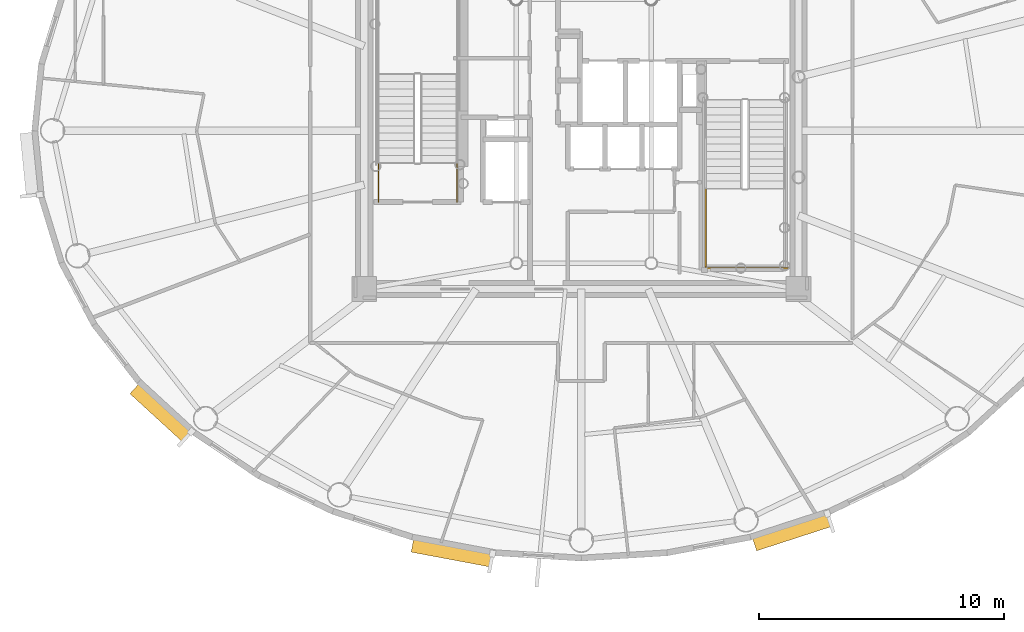
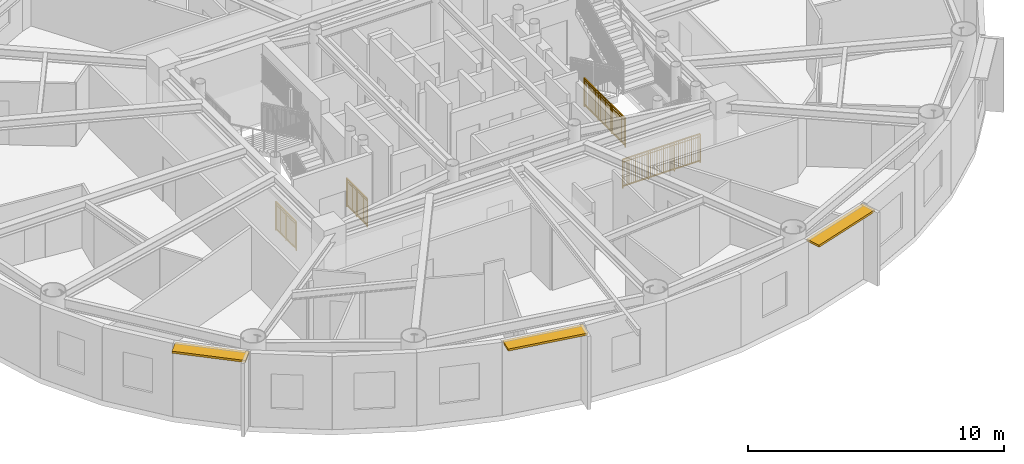
# One storey, part 11 of 17: 4 railings, 3 shading devices.
"""IFC4 building model written with IfcOpenShell, lengths in metres."""

from ifc_helpers import new_model, si_unit, direction, frame, origin, origin_2d, place, context, subcontext, project, spatial, rectangle, extrude, source, transform, mapped, material, layer, layer_set, type_object, element, save


model = new_model("IFC4")

# Units and contexts
model_context = context("Model", 3, precision=1e-05, world=origin(), true_north=direction((0.0, 1.0)))
body_context = subcontext(model_context, "Body", "Model", "MODEL_VIEW")
ifc_project = project(units=[si_unit("LENGTHUNIT", "METRE"), si_unit("AREAUNIT", "SQUARE_METRE"), si_unit("VOLUMEUNIT", "CUBIC_METRE"), si_unit("PLANEANGLEUNIT", "RADIAN"), si_unit("MASSUNIT", "GRAM", prefix="KILO")], contexts=[model_context])

# Site, building, storey
site_placement = place(None, origin())
site = spatial("IfcSite", under=ifc_project, at=site_placement, CompositionType="ELEMENT")
building_placement = place(site_placement, origin())
building = spatial("IfcBuilding", under=site, at=building_placement, Name="Linh Dai School and Residence Tower", CompositionType="ELEMENT")
storey_placement = place(building_placement, frame((0.0, 0.0, 284.25)))
storey = spatial("IfcBuildingStorey", under=building, at=storey_placement, Name="L70", CompositionType="ELEMENT", Elevation=284.25)

# Shading devices
ifc_material_1 = material(Name="Terracotta Ceramic Sunshade", Category="masonry")
ifc_layer = layer(ifc_material_1, 0.10009765625)
ifc_layer_set = layer_set([ifc_layer], Name="Terracotta Ceramic Sunshade")
shading_device_type = type_object("IfcShadingDeviceType", Name="SHD-TC-650", PredefinedType="USERDEFINED", material=ifc_layer_set)
shared_shape_1 = source(origin(), body_context, "Body", "SweptSolid", [
    extrude(rectangle(XDim=2.9541015625, YDim=0.64990234375, at=origin_2d()), origin(), (0.0, 0.0, 1.0), 0.10009765625),
])
shading_device_1_placement = place(storey_placement, frame((18.9111328125, 15.525390625, 3.3798828125), z_axis=(0.0, 0.0, 1.0), x_axis=(-0.737104227651, 0.675779074535, 0.0)))
element("IfcShadingDevice", 1, at=shading_device_1_placement, inside=storey, type_object=shading_device_type, Name="L70 Terracotta Horizontal Sunshade Band 25", ObjectType="SUNSHADE", PredefinedType="USERDEFINED", context=body_context, shape_type="MappedRepresentation", body=[
    mapped(shared_shape_1, transform((0.0, 0.0, 0.0), x_axis=(1.0, 0.0, 0.0), y_axis=(0.0, 1.0, 0.0), z_axis=(0.0, 0.0, 1.0), scale=1.0)),
])
shared_shape_2 = source(origin(), body_context, "Body", "SweptSolid", [
    extrude(rectangle(XDim=3.323486328125, YDim=0.64990234375, at=origin_2d()), origin(), (0.0, 0.0, 1.0), 0.10009765625),
])
shading_device_2_placement = place(storey_placement, frame((30.75732421875, 9.839599609375, 3.3798828125), z_axis=(0.0, 0.0, 1.0), x_axis=(-0.982785325002, 0.184751197452, 0.0)))
element("IfcShadingDevice", 2, at=shading_device_2_placement, inside=storey, type_object=shading_device_type, Name="L70 Terracotta Horizontal Sunshade Band 29", ObjectType="SUNSHADE", PredefinedType="USERDEFINED", context=body_context, shape_type="MappedRepresentation", body=[
    mapped(shared_shape_2, transform((0.0, 0.0, 0.0), x_axis=(1.0, 0.0, 0.0), y_axis=(0.0, 1.0, 0.0), z_axis=(0.0, 0.0, 1.0), scale=1.0)),
])
shared_shape_3 = source(origin(), body_context, "Body", "SweptSolid", [
    extrude(rectangle(XDim=3.26171875, YDim=0.64990234375, at=origin_2d()), origin(), (0.0, 0.0, 1.0), 0.10009765625),
])
shading_device_3_placement = place(storey_placement, frame((44.594970703125, 10.692626953125, 3.3798828125), z_axis=(0.0, 0.0, 1.0), x_axis=(-0.951218243545, -0.308518805176, 0.0)))
element("IfcShadingDevice", 3, at=shading_device_3_placement, inside=storey, type_object=shading_device_type, Name="L70 Terracotta Horizontal Sunshade Band 33", ObjectType="SUNSHADE", PredefinedType="USERDEFINED", context=body_context, shape_type="MappedRepresentation", body=[
    mapped(shared_shape_3, transform((0.0, 0.0, 0.0), x_axis=(1.0, 0.0, 0.0), y_axis=(0.0, 1.0, 0.0), z_axis=(0.0, 0.0, 1.0), scale=1.0)),
])

# Railings
ifc_material_2 = material(Name="Structural Steel S355JR", Category="steel")
railing_type = type_object("IfcRailingType", Name="RL-ST-GUARD-1400", PredefinedType="GUARDRAIL", material=ifc_material_2)
shared_shape_4 = source(origin(), body_context, "Body", "SweptSolid", [
    extrude(rectangle(XDim=0.048095703125, YDim=0.048095703125, at=origin_2d()), frame((0.0, 0.0, 1.3759765625), z_axis=(0.0, 1.0, 0.0), x_axis=(-1.0, 0.0, 0.0)), (0.0, 0.0, 1.0), 1.599853515625),
    extrude(rectangle(XDim=0.048095703125, YDim=0.048095703125, at=origin_2d()), frame((0.0, 0.0, 0.10009765625), z_axis=(0.0, 1.0, 0.0), x_axis=(-1.0, 0.0, 0.0)), (0.0, 0.0, 1.0), 1.599853515625),
    extrude(rectangle(XDim=0.030029296875, YDim=0.030029296875, at=origin_2d()), frame((0.0, 0.0, 1.239990234375), z_axis=(0.0, 1.0, 0.0), x_axis=(-1.0, 0.0, 0.0)), (0.0, 0.0, 1.0), 1.599853515625),
    extrude(rectangle(XDim=0.02001953125, YDim=0.02001953125, at=origin_2d()), frame((0.0, 0.093994140625, 0.10009765625)), (0.0, 0.0, 1.0), 1.251708984375),
    extrude(rectangle(XDim=0.02001953125, YDim=0.02001953125, at=origin_2d()), frame((0.0, 0.188232421875, 0.10009765625)), (0.0, 0.0, 1.0), 1.251708984375),
    extrude(rectangle(XDim=0.02001953125, YDim=0.02001953125, at=origin_2d()), frame((0.0, 0.2822265625, 0.10009765625)), (0.0, 0.0, 1.0), 1.251708984375),
    extrude(rectangle(XDim=0.02001953125, YDim=0.02001953125, at=origin_2d()), frame((0.0, 0.37646484375, 0.10009765625)), (0.0, 0.0, 1.0), 1.251708984375),
    extrude(rectangle(XDim=0.02001953125, YDim=0.02001953125, at=origin_2d()), frame((0.0, 0.470458984375, 0.10009765625)), (0.0, 0.0, 1.0), 1.251708984375),
    extrude(rectangle(XDim=0.02001953125, YDim=0.02001953125, at=origin_2d()), frame((0.0, 0.564697265625, 0.10009765625)), (0.0, 0.0, 1.0), 1.251708984375),
    extrude(rectangle(XDim=0.02001953125, YDim=0.02001953125, at=origin_2d()), frame((0.0, 0.65869140625, 0.10009765625)), (0.0, 0.0, 1.0), 1.251708984375),
    extrude(rectangle(XDim=0.02001953125, YDim=0.02001953125, at=origin_2d()), frame((0.0, 0.7529296875, 0.10009765625)), (0.0, 0.0, 1.0), 1.251708984375),
    extrude(rectangle(XDim=0.02001953125, YDim=0.02001953125, at=origin_2d()), frame((0.0, 0.846923828125, 0.10009765625)), (0.0, 0.0, 1.0), 1.251708984375),
    extrude(rectangle(XDim=0.02001953125, YDim=0.02001953125, at=origin_2d()), frame((0.0, 0.941162109375, 0.10009765625)), (0.0, 0.0, 1.0), 1.251708984375),
    extrude(rectangle(XDim=0.02001953125, YDim=0.02001953125, at=origin_2d()), frame((0.0, 1.03515625, 0.10009765625)), (0.0, 0.0, 1.0), 1.251708984375),
    extrude(rectangle(XDim=0.02001953125, YDim=0.02001953125, at=origin_2d()), frame((0.0, 1.12939453125, 0.10009765625)), (0.0, 0.0, 1.0), 1.251708984375),
    extrude(rectangle(XDim=0.02001953125, YDim=0.02001953125, at=origin_2d()), frame((0.0, 1.223388671875, 0.10009765625)), (0.0, 0.0, 1.0), 1.251708984375),
    extrude(rectangle(XDim=0.02001953125, YDim=0.02001953125, at=origin_2d()), frame((0.0, 1.317626953125, 0.10009765625)), (0.0, 0.0, 1.0), 1.251708984375),
    extrude(rectangle(XDim=0.02001953125, YDim=0.02001953125, at=origin_2d()), frame((0.0, 1.41162109375, 0.10009765625)), (0.0, 0.0, 1.0), 1.251708984375),
    extrude(rectangle(XDim=0.02001953125, YDim=0.02001953125, at=origin_2d()), frame((0.0, 1.505859375, 0.10009765625)), (0.0, 0.0, 1.0), 1.251708984375),
    extrude(rectangle(XDim=0.0419921875, YDim=0.0419921875, at=origin_2d()), origin(), (0.0, 0.0, 1.0), 1.3759765625),
    extrude(rectangle(XDim=0.0419921875, YDim=0.0419921875, at=origin_2d()), frame((0.0, 0.7998046875, 0.0)), (0.0, 0.0, 1.0), 1.3759765625),
    extrude(rectangle(XDim=0.0419921875, YDim=0.0419921875, at=origin_2d()), frame((0.0, 1.599853515625, 0.0)), (0.0, 0.0, 1.0), 1.3759765625),
])
for number, where, name in (
    (4, (30.929931640625, 24.10009765625, 0.0), "L70 ST1 stair guard 8"),
    (5, (27.72998046875, 24.10009765625, 0.0), "L70 ST1 stair guard 9"),
):
    element("IfcRailing", number, at=place(storey_placement, frame(where)), inside=storey, type_object=railing_type, Name=name, PredefinedType="GUARDRAIL", context=body_context, shape_type="MappedRepresentation", body=[
        mapped(shared_shape_4, transform((0.0, 0.0, 0.0), x_axis=(1.0, 0.0, 0.0), y_axis=(0.0, 1.0, 0.0), z_axis=(0.0, 0.0, 1.0), scale=1.0)),
    ])
shared_shape_5 = source(origin(), body_context, "Body", "SweptSolid", [
    extrude(rectangle(XDim=0.048095703125, YDim=0.048095703125, at=origin_2d()), frame((0.0, 0.0, 1.3759765625), z_axis=(1.0, 0.0, 0.0), x_axis=(0.0, 1.0, 0.0)), (0.0, 0.0, 1.0), 3.5),
    extrude(rectangle(XDim=0.048095703125, YDim=0.048095703125, at=origin_2d()), frame((0.0, 0.0, 0.10009765625), z_axis=(1.0, 0.0, 0.0), x_axis=(0.0, 1.0, 0.0)), (0.0, 0.0, 1.0), 3.5),
    extrude(rectangle(XDim=0.030029296875, YDim=0.030029296875, at=origin_2d()), frame((0.0, 0.0, 1.239990234375), z_axis=(1.0, 0.0, 0.0), x_axis=(0.0, 1.0, 0.0)), (0.0, 0.0, 1.0), 3.5),
    extrude(rectangle(XDim=0.02001953125, YDim=0.02001953125, at=origin_2d()), frame((0.09716796875, 0.0, 0.10009765625)), (0.0, 0.0, 1.0), 1.251708984375),
    extrude(rectangle(XDim=0.02001953125, YDim=0.02001953125, at=origin_2d()), frame((0.1943359375, 0.0, 0.10009765625)), (0.0, 0.0, 1.0), 1.251708984375),
    extrude(rectangle(XDim=0.02001953125, YDim=0.02001953125, at=origin_2d()), frame((0.291748046875, 0.0, 0.10009765625)), (0.0, 0.0, 1.0), 1.251708984375),
    extrude(rectangle(XDim=0.02001953125, YDim=0.02001953125, at=origin_2d()), frame((0.388916015625, 0.0, 0.10009765625)), (0.0, 0.0, 1.0), 1.251708984375),
    extrude(rectangle(XDim=0.02001953125, YDim=0.02001953125, at=origin_2d()), frame((0.486083984375, 0.0, 0.10009765625)), (0.0, 0.0, 1.0), 1.251708984375),
    extrude(rectangle(XDim=0.02001953125, YDim=0.02001953125, at=origin_2d()), frame((0.583251953125, 0.0, 0.10009765625)), (0.0, 0.0, 1.0), 1.251708984375),
    extrude(rectangle(XDim=0.02001953125, YDim=0.02001953125, at=origin_2d()), frame((0.6806640625, 0.0, 0.10009765625)), (0.0, 0.0, 1.0), 1.251708984375),
    extrude(rectangle(XDim=0.02001953125, YDim=0.02001953125, at=origin_2d()), frame((0.77783203125, 0.0, 0.10009765625)), (0.0, 0.0, 1.0), 1.251708984375),
    extrude(rectangle(XDim=0.02001953125, YDim=0.02001953125, at=origin_2d()), frame((0.875, 0.0, 0.10009765625)), (0.0, 0.0, 1.0), 1.251708984375),
    extrude(rectangle(XDim=0.02001953125, YDim=0.02001953125, at=origin_2d()), frame((0.97216796875, 0.0, 0.10009765625)), (0.0, 0.0, 1.0), 1.251708984375),
    extrude(rectangle(XDim=0.02001953125, YDim=0.02001953125, at=origin_2d()), frame((1.0693359375, 0.0, 0.10009765625)), (0.0, 0.0, 1.0), 1.251708984375),
    extrude(rectangle(XDim=0.02001953125, YDim=0.02001953125, at=origin_2d()), frame((1.263916015625, 0.0, 0.10009765625)), (0.0, 0.0, 1.0), 1.251708984375),
    extrude(rectangle(XDim=0.02001953125, YDim=0.02001953125, at=origin_2d()), frame((1.361083984375, 0.0, 0.10009765625)), (0.0, 0.0, 1.0), 1.251708984375),
    extrude(rectangle(XDim=0.02001953125, YDim=0.02001953125, at=origin_2d()), frame((1.458251953125, 0.0, 0.10009765625)), (0.0, 0.0, 1.0), 1.251708984375),
    extrude(rectangle(XDim=0.02001953125, YDim=0.02001953125, at=origin_2d()), frame((1.5556640625, 0.0, 0.10009765625)), (0.0, 0.0, 1.0), 1.251708984375),
    extrude(rectangle(XDim=0.02001953125, YDim=0.02001953125, at=origin_2d()), frame((1.65283203125, 0.0, 0.10009765625)), (0.0, 0.0, 1.0), 1.251708984375),
    extrude(rectangle(XDim=0.02001953125, YDim=0.02001953125, at=origin_2d()), frame((1.75, 0.0, 0.10009765625)), (0.0, 0.0, 1.0), 1.251708984375),
    extrude(rectangle(XDim=0.02001953125, YDim=0.02001953125, at=origin_2d()), frame((1.84716796875, 0.0, 0.10009765625)), (0.0, 0.0, 1.0), 1.251708984375),
    extrude(rectangle(XDim=0.02001953125, YDim=0.02001953125, at=origin_2d()), frame((1.9443359375, 0.0, 0.10009765625)), (0.0, 0.0, 1.0), 1.251708984375),
    extrude(rectangle(XDim=0.02001953125, YDim=0.02001953125, at=origin_2d()), frame((2.041748046875, 0.0, 0.10009765625)), (0.0, 0.0, 1.0), 1.251708984375),
    extrude(rectangle(XDim=0.02001953125, YDim=0.02001953125, at=origin_2d()), frame((2.138916015625, 0.0, 0.10009765625)), (0.0, 0.0, 1.0), 1.251708984375),
    extrude(rectangle(XDim=0.02001953125, YDim=0.02001953125, at=origin_2d()), frame((2.236083984375, 0.0, 0.10009765625)), (0.0, 0.0, 1.0), 1.251708984375),
    extrude(rectangle(XDim=0.02001953125, YDim=0.02001953125, at=origin_2d()), frame((2.4306640625, 0.0, 0.10009765625)), (0.0, 0.0, 1.0), 1.251708984375),
    extrude(rectangle(XDim=0.02001953125, YDim=0.02001953125, at=origin_2d()), frame((2.52783203125, 0.0, 0.10009765625)), (0.0, 0.0, 1.0), 1.251708984375),
    extrude(rectangle(XDim=0.02001953125, YDim=0.02001953125, at=origin_2d()), frame((2.625, 0.0, 0.10009765625)), (0.0, 0.0, 1.0), 1.251708984375),
    extrude(rectangle(XDim=0.02001953125, YDim=0.02001953125, at=origin_2d()), frame((2.72216796875, 0.0, 0.10009765625)), (0.0, 0.0, 1.0), 1.251708984375),
    extrude(rectangle(XDim=0.02001953125, YDim=0.02001953125, at=origin_2d()), frame((2.8193359375, 0.0, 0.10009765625)), (0.0, 0.0, 1.0), 1.251708984375),
    extrude(rectangle(XDim=0.02001953125, YDim=0.02001953125, at=origin_2d()), frame((2.916748046875, 0.0, 0.10009765625)), (0.0, 0.0, 1.0), 1.251708984375),
    extrude(rectangle(XDim=0.02001953125, YDim=0.02001953125, at=origin_2d()), frame((3.013916015625, 0.0, 0.10009765625)), (0.0, 0.0, 1.0), 1.251708984375),
    extrude(rectangle(XDim=0.02001953125, YDim=0.02001953125, at=origin_2d()), frame((3.111083984375, 0.0, 0.10009765625)), (0.0, 0.0, 1.0), 1.251708984375),
    extrude(rectangle(XDim=0.02001953125, YDim=0.02001953125, at=origin_2d()), frame((3.208251953125, 0.0, 0.10009765625)), (0.0, 0.0, 1.0), 1.251708984375),
    extrude(rectangle(XDim=0.02001953125, YDim=0.02001953125, at=origin_2d()), frame((3.3056640625, 0.0, 0.10009765625)), (0.0, 0.0, 1.0), 1.251708984375),
    extrude(rectangle(XDim=0.02001953125, YDim=0.02001953125, at=origin_2d()), frame((3.40283203125, 0.0, 0.10009765625)), (0.0, 0.0, 1.0), 1.251708984375),
    extrude(rectangle(XDim=0.0419921875, YDim=0.0419921875, at=origin_2d()), origin(), (0.0, 0.0, 1.0), 1.3759765625),
    extrude(rectangle(XDim=0.0419921875, YDim=0.0419921875, at=origin_2d()), frame((1.166748046875, 0.0, 0.0)), (0.0, 0.0, 1.0), 1.3759765625),
    extrude(rectangle(XDim=0.0419921875, YDim=0.0419921875, at=origin_2d()), frame((2.333251953125, 0.0, 0.0)), (0.0, 0.0, 1.0), 1.3759765625),
    extrude(rectangle(XDim=0.0419921875, YDim=0.0419921875, at=origin_2d()), frame((3.5, 0.0, 0.0)), (0.0, 0.0, 1.0), 1.3759765625),
])
railing_1_placement = place(storey_placement, frame((40.919921875, 21.39990234375, 0.0)))
element("IfcRailing", 6, at=railing_1_placement, inside=storey, type_object=railing_type, Name="L70 ST2 stair guard 12", PredefinedType="GUARDRAIL", context=body_context, shape_type="MappedRepresentation", body=[
    mapped(shared_shape_5, transform((0.0, 0.0, 0.0), x_axis=(1.0, 0.0, 0.0), y_axis=(0.0, 1.0, 0.0), z_axis=(0.0, 0.0, 1.0), scale=1.0)),
])
shared_shape_6 = source(origin(), body_context, "Body", "SweptSolid", [
    extrude(rectangle(XDim=0.048095703125, YDim=0.048095703125, at=origin_2d()), frame((0.0, 0.0, 1.3759765625), z_axis=(0.0, -1.0, 0.0), x_axis=(1.0, 0.0, 0.0)), (0.0, 0.0, 1.0), 3.199951171875),
    extrude(rectangle(XDim=0.048095703125, YDim=0.048095703125, at=origin_2d()), frame((0.0, 0.0, 0.10009765625), z_axis=(0.0, -1.0, 0.0), x_axis=(1.0, 0.0, 0.0)), (0.0, 0.0, 1.0), 3.199951171875),
    extrude(rectangle(XDim=0.030029296875, YDim=0.030029296875, at=origin_2d()), frame((0.0, 0.0, 1.239990234375), z_axis=(0.0, -1.0, 0.0), x_axis=(1.0, 0.0, 0.0)), (0.0, 0.0, 1.0), 3.199951171875),
    extrude(rectangle(XDim=0.02001953125, YDim=0.02001953125, at=origin_2d()), frame((0.0, -0.096923828125, 0.10009765625)), (0.0, 0.0, 1.0), 1.251708984375),
    extrude(rectangle(XDim=0.02001953125, YDim=0.02001953125, at=origin_2d()), frame((0.0, -0.19384765625, 0.10009765625)), (0.0, 0.0, 1.0), 1.251708984375),
    extrude(rectangle(XDim=0.02001953125, YDim=0.02001953125, at=origin_2d()), frame((0.0, -0.291015625, 0.10009765625)), (0.0, 0.0, 1.0), 1.251708984375),
    extrude(rectangle(XDim=0.02001953125, YDim=0.02001953125, at=origin_2d()), frame((0.0, -0.387939453125, 0.10009765625)), (0.0, 0.0, 1.0), 1.251708984375),
    extrude(rectangle(XDim=0.02001953125, YDim=0.02001953125, at=origin_2d()), frame((0.0, -0.48486328125, 0.10009765625)), (0.0, 0.0, 1.0), 1.251708984375),
    extrude(rectangle(XDim=0.02001953125, YDim=0.02001953125, at=origin_2d()), frame((0.0, -0.581787109375, 0.10009765625)), (0.0, 0.0, 1.0), 1.251708984375),
    extrude(rectangle(XDim=0.02001953125, YDim=0.02001953125, at=origin_2d()), frame((0.0, -0.6787109375, 0.10009765625)), (0.0, 0.0, 1.0), 1.251708984375),
    extrude(rectangle(XDim=0.02001953125, YDim=0.02001953125, at=origin_2d()), frame((0.0, -0.775634765625, 0.10009765625)), (0.0, 0.0, 1.0), 1.251708984375),
    extrude(rectangle(XDim=0.02001953125, YDim=0.02001953125, at=origin_2d()), frame((0.0, -0.872802734375, 0.10009765625)), (0.0, 0.0, 1.0), 1.251708984375),
    extrude(rectangle(XDim=0.02001953125, YDim=0.02001953125, at=origin_2d()), frame((0.0, -0.9697265625, 0.10009765625)), (0.0, 0.0, 1.0), 1.251708984375),
    extrude(rectangle(XDim=0.02001953125, YDim=0.02001953125, at=origin_2d()), frame((0.0, -1.16357421875, 0.10009765625)), (0.0, 0.0, 1.0), 1.251708984375),
    extrude(rectangle(XDim=0.02001953125, YDim=0.02001953125, at=origin_2d()), frame((0.0, -1.260498046875, 0.10009765625)), (0.0, 0.0, 1.0), 1.251708984375),
    extrude(rectangle(XDim=0.02001953125, YDim=0.02001953125, at=origin_2d()), frame((0.0, -1.357666015625, 0.10009765625)), (0.0, 0.0, 1.0), 1.251708984375),
    extrude(rectangle(XDim=0.02001953125, YDim=0.02001953125, at=origin_2d()), frame((0.0, -1.45458984375, 0.10009765625)), (0.0, 0.0, 1.0), 1.251708984375),
    extrude(rectangle(XDim=0.02001953125, YDim=0.02001953125, at=origin_2d()), frame((0.0, -1.551513671875, 0.10009765625)), (0.0, 0.0, 1.0), 1.251708984375),
    extrude(rectangle(XDim=0.02001953125, YDim=0.02001953125, at=origin_2d()), frame((0.0, -1.6484375, 0.10009765625)), (0.0, 0.0, 1.0), 1.251708984375),
    extrude(rectangle(XDim=0.02001953125, YDim=0.02001953125, at=origin_2d()), frame((0.0, -1.745361328125, 0.10009765625)), (0.0, 0.0, 1.0), 1.251708984375),
    extrude(rectangle(XDim=0.02001953125, YDim=0.02001953125, at=origin_2d()), frame((0.0, -1.84228515625, 0.10009765625)), (0.0, 0.0, 1.0), 1.251708984375),
    extrude(rectangle(XDim=0.02001953125, YDim=0.02001953125, at=origin_2d()), frame((0.0, -1.939453125, 0.10009765625)), (0.0, 0.0, 1.0), 1.251708984375),
    extrude(rectangle(XDim=0.02001953125, YDim=0.02001953125, at=origin_2d()), frame((0.0, -2.036376953125, 0.10009765625)), (0.0, 0.0, 1.0), 1.251708984375),
    extrude(rectangle(XDim=0.02001953125, YDim=0.02001953125, at=origin_2d()), frame((0.0, -2.230224609375, 0.10009765625)), (0.0, 0.0, 1.0), 1.251708984375),
    extrude(rectangle(XDim=0.02001953125, YDim=0.02001953125, at=origin_2d()), frame((0.0, -2.3271484375, 0.10009765625)), (0.0, 0.0, 1.0), 1.251708984375),
    extrude(rectangle(XDim=0.02001953125, YDim=0.02001953125, at=origin_2d()), frame((0.0, -2.42431640625, 0.10009765625)), (0.0, 0.0, 1.0), 1.251708984375),
    extrude(rectangle(XDim=0.02001953125, YDim=0.02001953125, at=origin_2d()), frame((0.0, -2.521240234375, 0.10009765625)), (0.0, 0.0, 1.0), 1.251708984375),
    extrude(rectangle(XDim=0.02001953125, YDim=0.02001953125, at=origin_2d()), frame((0.0, -2.6181640625, 0.10009765625)), (0.0, 0.0, 1.0), 1.251708984375),
    extrude(rectangle(XDim=0.02001953125, YDim=0.02001953125, at=origin_2d()), frame((0.0, -2.715087890625, 0.10009765625)), (0.0, 0.0, 1.0), 1.251708984375),
    extrude(rectangle(XDim=0.02001953125, YDim=0.02001953125, at=origin_2d()), frame((0.0, -2.81201171875, 0.10009765625)), (0.0, 0.0, 1.0), 1.251708984375),
    extrude(rectangle(XDim=0.02001953125, YDim=0.02001953125, at=origin_2d()), frame((0.0, -2.908935546875, 0.10009765625)), (0.0, 0.0, 1.0), 1.251708984375),
    extrude(rectangle(XDim=0.02001953125, YDim=0.02001953125, at=origin_2d()), frame((0.0, -3.006103515625, 0.10009765625)), (0.0, 0.0, 1.0), 1.251708984375),
    extrude(rectangle(XDim=0.02001953125, YDim=0.02001953125, at=origin_2d()), frame((0.0, -3.10302734375, 0.10009765625)), (0.0, 0.0, 1.0), 1.251708984375),
    extrude(rectangle(XDim=0.0419921875, YDim=0.0419921875, at=origin_2d()), origin(), (0.0, 0.0, 1.0), 1.3759765625),
    extrude(rectangle(XDim=0.0419921875, YDim=0.0419921875, at=origin_2d()), frame((0.0, -1.066650390625, 0.0)), (0.0, 0.0, 1.0), 1.3759765625),
    extrude(rectangle(XDim=0.0419921875, YDim=0.0419921875, at=origin_2d()), frame((0.0, -2.13330078125, 0.0)), (0.0, 0.0, 1.0), 1.3759765625),
    extrude(rectangle(XDim=0.0419921875, YDim=0.0419921875, at=origin_2d()), frame((0.0, -3.199951171875, 0.0)), (0.0, 0.0, 1.0), 1.3759765625),
])
railing_2_placement = place(storey_placement, frame((41.070068359375, 24.64990234375, 1.875)))
element("IfcRailing", 7, at=railing_2_placement, inside=storey, type_object=railing_type, Name="L70 ST2 stair guard 3", PredefinedType="GUARDRAIL", context=body_context, shape_type="MappedRepresentation", body=[
    mapped(shared_shape_6, transform((0.0, 0.0, 0.0), x_axis=(1.0, 0.0, 0.0), y_axis=(0.0, 1.0, 0.0), z_axis=(0.0, 0.0, 1.0), scale=1.0)),
])

save(model, "model.ifc")
